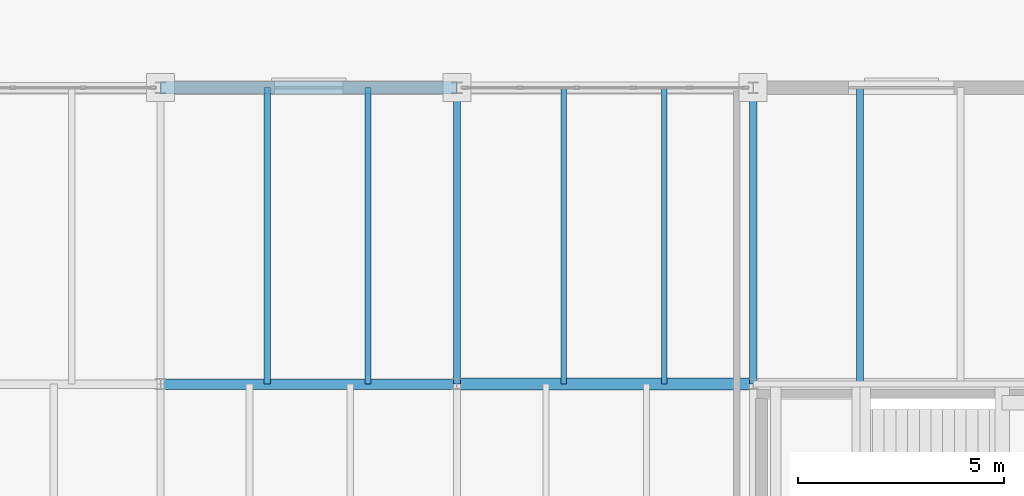
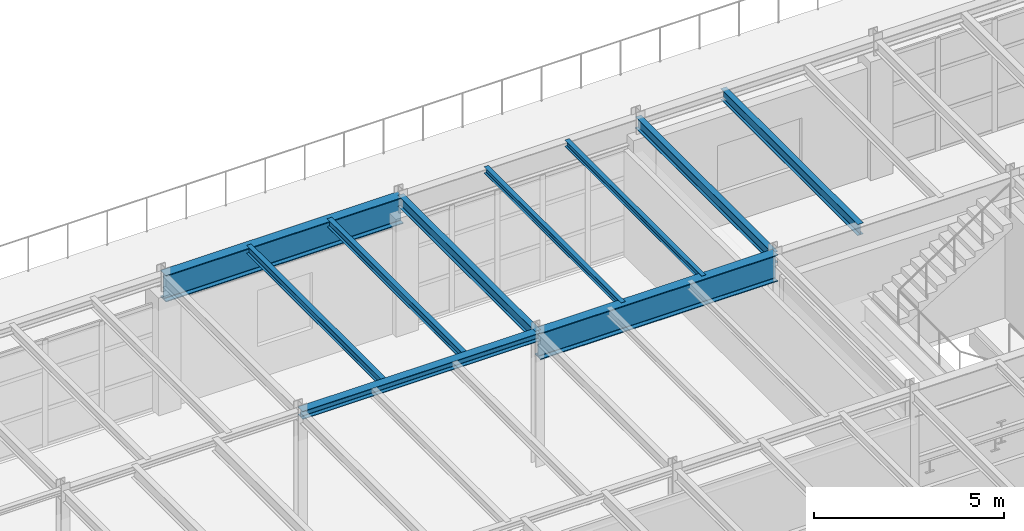
# One storey, part 73 of 101: 10 beams.
"""IFC4 building model written with IfcOpenShell, lengths in metres."""

import ifcopenshell
import ifcopenshell.guid

model = None  # the IFC model being written
_history = None  # IfcOwnerHistory: only IFC2X3 demands one
_inside = {}  # id of a spatial element -> (the spatial element, [elements in it])
_under = {}  # id of a project, library or spatial element -> (it, [spatial elements below it])
_declared = {}  # id of a project -> (the project, [libraries it declares])
_typed = {}  # id of a type object -> (the type object, [elements of that type])
_made_of = {}  # id of a material, layer set ... -> (it, [elements and type objects made of it])


def new_model(schema):
    """Start an empty IFC model of exactly this schema.

    Asked for "IFC4X3", IfcOpenShell would pick the latest addendum, in which some entities
    have other attributes; the version numbers below select the first issue.
    IFC2X3 requires an IfcOwnerHistory on every rooted entity: one is made here for all.
    """
    global model, _history
    if schema == "IFC4X3":
        model = ifcopenshell.file(schema_version=(4, 3, 0, 0))
    else:
        model = ifcopenshell.file(schema=schema)
    _inside.clear()
    _under.clear()
    _declared.clear()
    _typed.clear()
    _made_of.clear()
    _history = None
    if model.schema == "IFC2X3":
        org = make("IfcOrganization", Name="unknown")
        user = make(
            "IfcPersonAndOrganization",
            ThePerson=make("IfcPerson", FamilyName="unknown"),
            TheOrganization=org,
        )
        app = make(
            "IfcApplication",
            ApplicationDeveloper=org,
            Version="unknown",
            ApplicationFullName="unknown",
            ApplicationIdentifier="unknown",
        )
        _history = make(
            "IfcOwnerHistory",
            OwningUser=user,
            OwningApplication=app,
            ChangeAction="ADDED",
            CreationDate=0,
        )
    return model


def make(cls, **values):
    """One entity of the class cls with the attributes given. An attribute that is None is left unset."""
    return model.create_entity(
        cls, **{name: value for name, value in values.items() if value is not None}
    )


def rooted(cls, **values):
    """An entity with a GlobalId (a new one), such as an element, a storey or a relation."""
    return make(cls, GlobalId=ifcopenshell.guid.new(), OwnerHistory=_history, **values)


def si_unit(unit_type, name, prefix=None):
    """IfcSIUnit, for example si_unit("LENGTHUNIT", "METRE", prefix="MILLI")."""
    return make("IfcSIUnit", UnitType=unit_type, Prefix=prefix, Name=name)


def assignment(units):
    """IfcUnitAssignment: the units of a project."""
    return None if units is None else make("IfcUnitAssignment", Units=units)


def point(xyz):
    """IfcCartesianPoint."""
    return None if xyz is None else make("IfcCartesianPoint", Coordinates=xyz)


def direction(xyz):
    """IfcDirection."""
    return None if xyz is None else make("IfcDirection", DirectionRatios=xyz)


def frame(location, z_axis=None, x_axis=None):
    """IfcAxis2Placement3D, a coordinate frame: its origin and axes. An axis left out is left unset."""
    return make(
        "IfcAxis2Placement3D",
        Location=point(location),
        Axis=direction(z_axis),
        RefDirection=direction(x_axis),
    )


def frame_2d(location, x_axis=None):
    """IfcAxis2Placement2D, a coordinate frame in the plane: its origin and x axis."""
    return make(
        "IfcAxis2Placement2D", Location=point(location), RefDirection=direction(x_axis)
    )


def origin():
    """The frame at (0, 0, 0) with its axes left unset."""
    return frame((0.0, 0.0, 0.0))


def origin_2d():
    """The frame at (0, 0) in the plane with its x axis left unset."""
    return frame_2d((0.0, 0.0))


def place(relative_to, where):
    """IfcLocalPlacement: puts the frame where relative to a parent placement (None: the world)."""
    return make(
        "IfcLocalPlacement", PlacementRelTo=relative_to, RelativePlacement=where
    )


def context(
    kind, dimensions, precision=None, world=None, true_north=None, identifier=None
):
    """IfcGeometricRepresentationContext, for example the 3D "Model" context."""
    return make(
        "IfcGeometricRepresentationContext",
        ContextIdentifier=identifier,
        ContextType=kind,
        CoordinateSpaceDimension=dimensions,
        Precision=precision,
        WorldCoordinateSystem=world,
        TrueNorth=true_north,
    )


def subcontext(parent, identifier, kind, view, scale=None):
    """IfcGeometricRepresentationSubContext, for example "Body" below "Model"."""
    return make(
        "IfcGeometricRepresentationSubContext",
        ContextIdentifier=identifier,
        ContextType=kind,
        ParentContext=parent,
        TargetScale=scale,
        TargetView=view,
    )


def project(units=None, contexts=None):
    """IfcProject with its units and contexts."""
    return rooted(
        "IfcProject",
        Name="project",
        RepresentationContexts=contexts,
        UnitsInContext=assignment(units),
    )


def spatial(cls, under=None, at=None, **own):
    """A site, building, storey or space (cls), placed at a placement, below another one or the project."""
    s = rooted(cls, ObjectPlacement=at, **own)
    if under is not None:
        _under.setdefault(under.id(), (under, []))[1].append(s)
    return s


def profile(cls, at=None, kind="AREA", **sizes):
    """A parametric profile (cls). Its sizes go by their IFC names, for example OverallWidth=200.0."""
    return make(cls, ProfileType=kind, Position=at, **sizes)


def i_section(**sizes):
    """IfcIShapeProfileDef."""
    return profile("IfcIShapeProfileDef", **sizes)


def extrude(swept, where, along, depth):
    """IfcExtrudedAreaSolid: the profile swept, set in the frame where, extruded along a direction by depth."""
    return make(
        "IfcExtrudedAreaSolid",
        SweptArea=swept,
        Position=where,
        ExtrudedDirection=direction(along),
        Depth=depth,
    )


def shape(context_of_items, identifier, shape_type, items):
    """IfcShapeRepresentation: the items that make up one representation, for example the "Body"."""
    return make(
        "IfcShapeRepresentation",
        ContextOfItems=context_of_items,
        RepresentationIdentifier=identifier,
        RepresentationType=shape_type,
        Items=items,
    )


def material(Name=None, Category=None):
    """IfcMaterial."""
    return make("IfcMaterial", Name=Name, Category=Category)


def material_profile(
    of_material, cross_section, Name=None, Category=None, Priority=None
):
    """IfcMaterialProfile: a cross section and its material."""
    return make(
        "IfcMaterialProfile",
        Name=Name,
        Material=of_material,
        Profile=cross_section,
        Priority=Priority,
        Category=Category,
    )


def profile_set(profiles, Name=None, composite=None):
    """IfcMaterialProfileSet."""
    return make(
        "IfcMaterialProfileSet",
        Name=Name,
        MaterialProfiles=profiles,
        CompositeProfile=composite,
    )


def made_of(thing, what):
    """Note that an element or type object is made of a material, layer set ...; save() writes the relation."""
    if what is not None:
        _made_of.setdefault(what.id(), (what, []))[1].append(thing)
    return thing


def type_object(cls, material=None, **own):
    """A type object (cls), such as IfcWallType, which elements share."""
    return made_of(rooted(cls, **own), material)


def element(
    cls,
    number,
    at=None,
    inside=None,
    cuts=None,
    type_object=None,
    material=None,
    context=None,
    identifier="Body",
    shape_type=None,
    held_by="IfcProductDefinitionShape",
    body=None,
    shapes=None,
    **own,
):
    """One element of the class cls, such as IfcWall. Its Tag is "e" and its number.

    at: its placement. inside: the storey or other place that contains it. cuts: it is an
    opening in that element (IfcRelVoidsElement). A single representation is given by context,
    identifier, shape_type and body (its items); several are given by shapes. held_by: the class
    of the entity that holds the representations. save() writes the other relations.
    """
    e = rooted(cls, Tag="e%d" % number, ObjectPlacement=at, **own)
    if body is not None:
        shapes = [shape(context, identifier, shape_type, body)]
    if shapes is not None:
        e.Representation = make(held_by, Representations=shapes)
    if inside is not None:
        _inside.setdefault(inside.id(), (inside, []))[1].append(e)
    if cuts is not None:
        rooted(
            "IfcRelVoidsElement", RelatingBuildingElement=cuts, RelatedOpeningElement=e
        )
    if type_object is not None:
        _typed.setdefault(type_object.id(), (type_object, []))[1].append(e)
    return made_of(e, material)


def aggregate(whole, parts):
    """IfcRelAggregates: a whole, such as a stair, and the parts it consists of."""
    return rooted("IfcRelAggregates", RelatingObject=whole, RelatedObjects=parts)


def save(model, path):
    """Write the relations noted so far, then the file.

    IfcRelAggregates (storeys below a building ...), IfcRelContainedInSpatialStructure (elements
    in a storey), IfcRelDefinesByType, IfcRelAssociatesMaterial and IfcRelDeclares: one each for
    every whole, place, type object, material and project.
    """
    for whole, parts in _under.values():
        aggregate(whole, parts)
    for where, things in _inside.values():
        rooted(
            "IfcRelContainedInSpatialStructure",
            RelatedElements=things,
            RelatingStructure=where,
        )
    for kind, things in _typed.values():
        rooted("IfcRelDefinesByType", RelatedObjects=things, RelatingType=kind)
    for what, things in _made_of.values():
        rooted("IfcRelAssociatesMaterial", RelatedObjects=things, RelatingMaterial=what)
    for by, libraries in _declared.values():
        rooted("IfcRelDeclares", RelatingContext=by, RelatedDefinitions=libraries)
    model.write(path)


model = new_model("IFC4")

# Units and contexts
model_context = context("Model", 3, precision=1e-05, world=origin(), true_north=direction((0.0, 1.0)))
body_context = subcontext(model_context, "Body", "Model", "MODEL_VIEW")
ifc_project = project(units=[si_unit("LENGTHUNIT", "METRE"), si_unit("AREAUNIT", "SQUARE_METRE"), si_unit("VOLUMEUNIT", "CUBIC_METRE"), si_unit("PLANEANGLEUNIT", "RADIAN"), si_unit("MASSUNIT", "GRAM", prefix="KILO")], contexts=[model_context])

# Site, building, storey
site_placement = place(None, origin())
site = spatial("IfcSite", under=ifc_project, at=site_placement, CompositionType="ELEMENT")
building_placement = place(site_placement, origin())
building = spatial("IfcBuilding", under=site, at=building_placement, Name="Kemerveld Promenade Tramway Depot", CompositionType="ELEMENT")
storey_placement = place(building_placement, frame((0.0, 0.0, 9.89990234375)))
storey = spatial("IfcBuildingStorey", under=building, at=storey_placement, Name="L02", CompositionType="ELEMENT", Elevation=9.89990234375)

# Beams
ifc_material = material(Name="Steel S355", Category="steel")
ifc_material_profile_1 = material_profile(ifc_material, i_section(OverallWidth=0.293701171875, OverallDepth=0.850830078125, WebThickness=0.01611328125, FlangeThickness=0.02685546875, FilletRadius=0.017822265625, at=origin_2d()), Name="838x292x226 UB")
ifc_profile_set_1 = profile_set([ifc_material_profile_1], Name="Steel S355")
beam_type_1 = type_object("IfcBeamType", Name="BM-G01", PredefinedType="BEAM", material=ifc_profile_set_1)
beam_1_placement = place(storey_placement, frame((21.60009765625, 64.800048828125, 3.854736328125), z_axis=(1.0, 0.0, 0.0), x_axis=(0.0, 1.0, 0.0)))
element("IfcBeam", 1, at=beam_1_placement, inside=storey, type_object=beam_type_1, Name="BMX-L02-04-05-K", PredefinedType="BEAM", context=body_context, shape_type="SweptSolid", body=[
    extrude(i_section(OverallWidth=0.293701171875, OverallDepth=0.850830078125, WebThickness=0.01611328125, FlangeThickness=0.02685546875, FilletRadius=0.017822265625, at=origin_2d()), origin(), (0.0, 0.0, 1.0), 7.199951171875),
])
beam_2_placement = place(storey_placement, frame((14.39990234375, 72.0, 3.859619140625), z_axis=(1.0, 0.0, 0.0), x_axis=(0.0, 1.0, 0.0)))
element("IfcBeam", 2, at=beam_2_placement, inside=storey, type_object=beam_type_1, Name="BMX-L02-03-04-L", PredefinedType="BEAM", context=body_context, shape_type="SweptSolid", body=[
    extrude(i_section(OverallWidth=0.293701171875, OverallDepth=0.850830078125, WebThickness=0.01611328125, FlangeThickness=0.02685546875, FilletRadius=0.017822265625, at=origin_2d()), origin(), (0.0, 0.0, 1.0), 7.2001953125),
])
ifc_material_profile_2 = material_profile(ifc_material, i_section(OverallWidth=0.172119140625, OverallDepth=0.35791015625, WebThickness=0.008056640625, FlangeThickness=0.012939453125, FilletRadius=0.01025390625, at=origin_2d()), Name="356x171x57 UB")
ifc_profile_set_2 = profile_set([ifc_material_profile_2], Name="Steel S355")
beam_type_2 = type_object("IfcBeamType", Name="BM-G08", PredefinedType="BEAM", material=ifc_profile_set_2)
for number, where, z_axis, x_axis, name in (
    (3, (21.60009765625, 64.800048828125, 4.106201171875), (0.0, 1.0, 0.0), (-1.0, 0.0, 0.0), "BMY-L02-04-K-L"),
    (4, (28.800048828125, 64.800048828125, 4.10107421875), (0.0, 1.0, 0.0), (-1.0, 0.0, 0.0), "BMY-L02-05-K-L"),
):
    element("IfcBeam", number, at=place(storey_placement, frame(where, z_axis=z_axis, x_axis=x_axis)), inside=storey, type_object=beam_type_2, Name=name, PredefinedType="BEAM", context=body_context, shape_type="SweptSolid", body=[
        extrude(i_section(OverallWidth=0.172119140625, OverallDepth=0.35791015625, WebThickness=0.008056640625, FlangeThickness=0.012939453125, FilletRadius=0.01025390625, at=origin_2d()), origin(), (0.0, 0.0, 1.0), 7.199951171875),
    ])
ifc_material_profile_3 = material_profile(ifc_material, i_section(OverallWidth=0.146484375, OverallDepth=0.256103515625, WebThickness=0.00634765625, FlangeThickness=0.010986328125, FilletRadius=0.007568359375, at=origin_2d()), Name="254x146x37 UB")
ifc_profile_set_3 = profile_set([ifc_material_profile_3], Name="Steel S355")
beam_type_3 = type_object("IfcBeamType", Name="BM-J02", PredefinedType="JOIST", material=ifc_profile_set_3)
for number, where, z_axis, x_axis, name in (
    (5, (16.991943359375, 64.800048828125, 4.156982421875), (0.0, 1.0, 0.0), (-1.0, 0.0, 0.0), "JST-L02-03-K-1"),
    (6, (19.43994140625, 64.800048828125, 4.156982421875), (0.0, 1.0, 0.0), (-1.0, 0.0, 0.0), "JST-L02-03-K-2"),
):
    element("IfcBeam", number, at=place(storey_placement, frame(where, z_axis=z_axis, x_axis=x_axis)), inside=storey, type_object=beam_type_3, Name=name, PredefinedType="JOIST", context=body_context, shape_type="SweptSolid", body=[
        extrude(i_section(OverallWidth=0.146484375, OverallDepth=0.256103515625, WebThickness=0.00634765625, FlangeThickness=0.010986328125, FilletRadius=0.007568359375, at=origin_2d()), origin(), (0.0, 0.0, 1.0), 7.199951171875),
    ])
ifc_material_profile_4 = material_profile(ifc_material, i_section(OverallWidth=0.13330078125, OverallDepth=0.203125, WebThickness=0.005615234375, FlangeThickness=0.0078125, FilletRadius=0.007568359375, at=origin_2d()), Name="203x133x25 UB")
ifc_profile_set_4 = profile_set([ifc_material_profile_4], Name="Steel S355")
beam_type_4 = type_object("IfcBeamType", Name="BM-J03", PredefinedType="JOIST", material=ifc_profile_set_4)
for number, where, z_axis, x_axis, name in (
    (7, (24.19189453125, 64.800048828125, 4.18359375), (0.0, 1.0, 0.0), (-1.0, 0.0, 0.0), "JST-L02-04-K-1"),
    (8, (26.639892578125, 64.800048828125, 4.18359375), (0.0, 1.0, 0.0), (-1.0, 0.0, 0.0), "JST-L02-04-K-2"),
):
    element("IfcBeam", number, at=place(storey_placement, frame(where, z_axis=z_axis, x_axis=x_axis)), inside=storey, type_object=beam_type_4, Name=name, PredefinedType="JOIST", context=body_context, shape_type="SweptSolid", body=[
        extrude(i_section(OverallWidth=0.13330078125, OverallDepth=0.203125, WebThickness=0.005615234375, FlangeThickness=0.0078125, FilletRadius=0.007568359375, at=origin_2d()), origin(), (0.0, 0.0, 1.0), 7.199951171875),
    ])
ifc_material_profile_5 = material_profile(ifc_material, i_section(OverallWidth=0.172119140625, OverallDepth=0.35791015625, WebThickness=0.008056640625, FlangeThickness=0.012939453125, FilletRadius=0.01025390625, at=origin_2d()), Name="356x171x57 UB")
ifc_profile_set_5 = profile_set([ifc_material_profile_5], Name="Steel S355")
beam_type_5 = type_object("IfcBeamType", Name="BM-J04", PredefinedType="JOIST", material=ifc_profile_set_5)
beam_3_placement = place(storey_placement, frame((31.39208984375, 64.800048828125, 4.10107421875), z_axis=(0.0, 1.0, 0.0), x_axis=(-1.0, 0.0, 0.0)))
element("IfcBeam", 9, at=beam_3_placement, inside=storey, type_object=beam_type_5, Name="JST-L02-05-K-1", PredefinedType="JOIST", context=body_context, shape_type="SweptSolid", body=[
    extrude(i_section(OverallWidth=0.172119140625, OverallDepth=0.35791015625, WebThickness=0.008056640625, FlangeThickness=0.012939453125, FilletRadius=0.01025390625, at=origin_2d()), origin(), (0.0, 0.0, 1.0), 7.199951171875),
])
ifc_material_profile_6 = material_profile(ifc_material, i_section(OverallWidth=0.25634765625, OverallDepth=0.26025390625, WebThickness=0.01025390625, FlangeThickness=0.017333984375, FilletRadius=0.0126953125, at=origin_2d()), Name="254x254x89 UC")
ifc_profile_set_6 = profile_set([ifc_material_profile_6], Name="Steel S355")
beam_type_6 = type_object("IfcBeamType", Name="BM-LN4", PredefinedType="LINTEL", material=ifc_profile_set_6)
beam_4_placement = place(storey_placement, frame((14.39990234375, 64.800048828125, 4.155029296875), z_axis=(1.0, 0.0, 0.0), x_axis=(0.0, 1.0, 0.0)))
element("IfcBeam", 10, at=beam_4_placement, inside=storey, type_object=beam_type_6, Name="BMX-L02-03-04-K", PredefinedType="LINTEL", context=body_context, shape_type="SweptSolid", body=[
    extrude(i_section(OverallWidth=0.25634765625, OverallDepth=0.26025390625, WebThickness=0.01025390625, FlangeThickness=0.017333984375, FilletRadius=0.0126953125, at=origin_2d()), origin(), (0.0, 0.0, 1.0), 7.2001953125),
])

save(model, "model.ifc")
